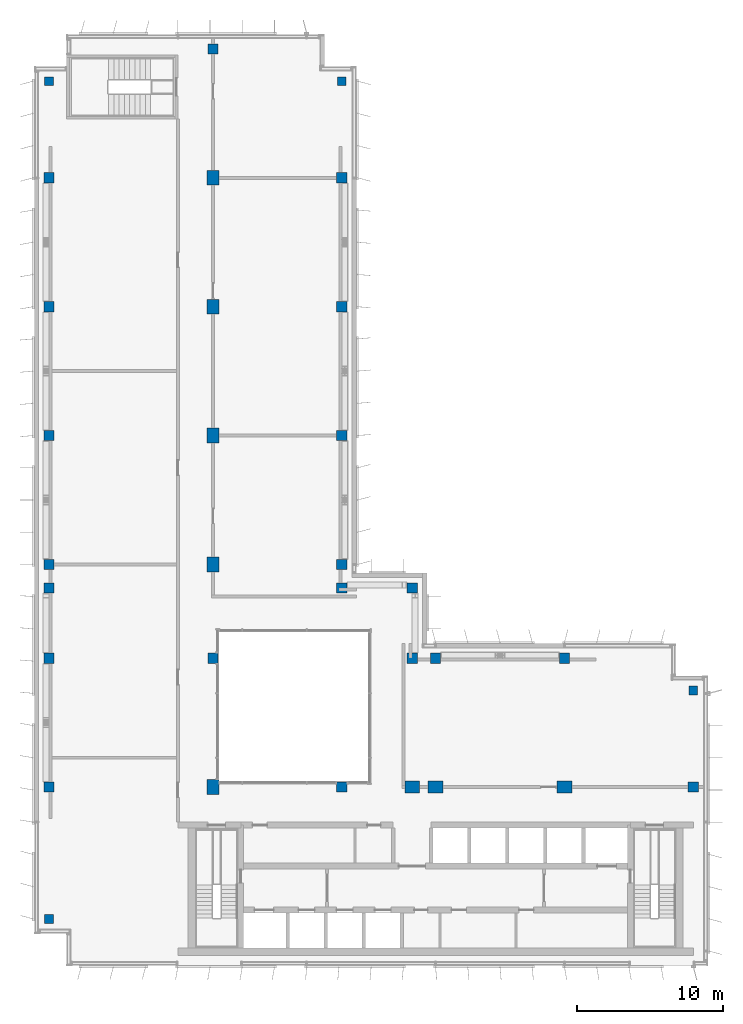
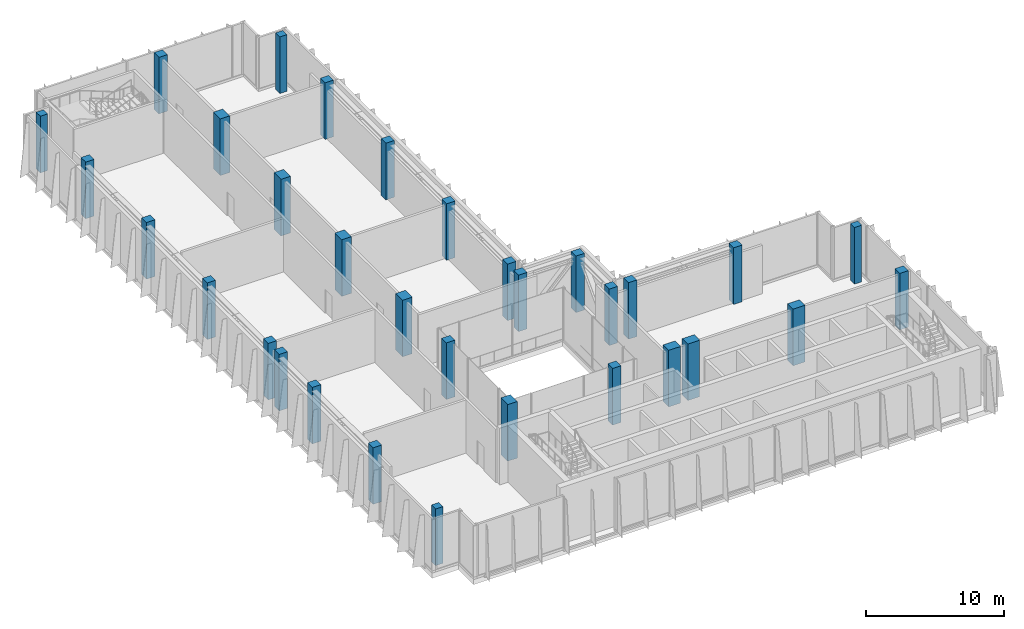
# One storey, part 1 of 14: 32 columns.
"""IFC4 building model written with IfcOpenShell, lengths in metres."""

from ifc_helpers import new_model, si_unit, direction, frame, origin, origin_2d, place, context, subcontext, project, spatial, rectangle, extrude, material, material_profile, profile_set, type_object, element, save


model = new_model("IFC4")

# Units and contexts
model_context = context("Model", 3, precision=1e-05, world=origin(), true_north=direction((0.0, 1.0)))
body_context = subcontext(model_context, "Body", "Model", "MODEL_VIEW")
ifc_project = project(units=[si_unit("LENGTHUNIT", "METRE"), si_unit("AREAUNIT", "SQUARE_METRE"), si_unit("VOLUMEUNIT", "CUBIC_METRE"), si_unit("PLANEANGLEUNIT", "RADIAN"), si_unit("MASSUNIT", "GRAM", prefix="KILO")], contexts=[model_context])

# Site, building, storey
site_placement = place(None, origin())
site = spatial("IfcSite", under=ifc_project, at=site_placement, CompositionType="ELEMENT")
building_placement = place(site_placement, origin())
building = spatial("IfcBuilding", under=site, at=building_placement, Name="Kemantara Hotel Tower", CompositionType="ELEMENT")
storey_placement = place(building_placement, frame((0.0, 0.0, 309.199951171875)))
storey = spatial("IfcBuildingStorey", under=building, at=storey_placement, Name="L78", CompositionType="ELEMENT", Elevation=309.199951171875)

# Columns
ifc_material = material(Name="Concrete fc 50 MPa", Category="concrete")
ifc_material_profile_1 = material_profile(ifc_material, rectangle(XDim=1.0, YDim=0.800048828125, at=origin_2d()), Name="RC 1000X800")
ifc_profile_set_1 = profile_set([ifc_material_profile_1], Name="Concrete fc 50 MPa")
column_type_1 = type_object("IfcColumnType", Name="RC COLUMN 1000X800 FC50", PredefinedType="COLUMN", material=ifc_profile_set_1)
for number, where, z_axis, x_axis, name in (
    (1, (12.199951171875, 12.199951171875, 0.0), (0.0, 0.0, 1.0), (0.0, 1.0, 0.0), "COLUMN 2A/BA L78"),
    (2, (12.199951171875, 27.39990234375, 0.0), (0.0, 0.0, 1.0), (0.0, 1.0, 0.0), "COLUMN 2A/D L78"),
    (3, (12.199951171875, 36.199951171875, 0.0), (0.0, 0.0, 1.0), (0.0, 1.0, 0.0), "COLUMN 2A/E L78"),
    (4, (12.199951171875, 45.0, 0.0), (0.0, 0.0, 1.0), (0.0, 1.0, 0.0), "COLUMN 2A/F L78"),
    (5, (12.199951171875, 53.800048828125, 0.0), (0.0, 0.0, 1.0), (0.0, 1.0, 0.0), "COLUMN 2A/G L78"),
    (6, (25.800048828125, 12.199951171875, 0.0), (0.0, 0.0, 1.0), (1.0, 0.0, 0.0), "COLUMN 3A/BA L78"),
    (7, (27.39990234375, 12.199951171875, 0.0), (0.0, 0.0, 1.0), (1.0, 0.0, 0.0), "COLUMN 4/BA L78"),
    (8, (36.199951171875, 12.199951171875, 0.0), (0.0, 0.0, 1.0), (1.0, 0.0, 0.0), "COLUMN 5/BA L78"),
):
    element("IfcColumn", number, at=place(storey_placement, frame(where, z_axis=z_axis, x_axis=x_axis)), inside=storey, type_object=column_type_1, Name=name, PredefinedType="COLUMN", context=body_context, shape_type="SweptSolid", body=[
        extrude(rectangle(XDim=1.0, YDim=0.800048828125, at=origin_2d()), origin(), (0.0, 0.0, 1.0), 5.0),
    ])
ifc_material_profile_2 = material_profile(ifc_material, rectangle(XDim=0.60009765625, YDim=0.60009765625, at=origin_2d()), Name="RC 600X600")
ifc_profile_set_2 = profile_set([ifc_material_profile_2], Name="Concrete fc 50 MPa")
column_type_2 = type_object("IfcColumnType", Name="RC COLUMN 600X600 FC50", PredefinedType="COLUMN", material=ifc_profile_set_2)
for number, where, z_axis, x_axis, name in (
    (9, (1.0, 3.199951171875, 0.0), (0.0, 0.0, 1.0), (1.0, 0.0, 0.0), "COLUMN notch corner L78"),
    (10, (1.0, 60.39990234375, 0.0), (0.0, 0.0, 1.0), (1.0, 0.0, 0.0), "COLUMN notch corner L78"),
    (11, (21.0, 60.39990234375, 0.0), (0.0, 0.0, 1.0), (1.0, 0.0, 0.0), "COLUMN notch corner L78"),
    (12, (45.0, 18.800048828125, 0.0), (0.0, 0.0, 1.0), (1.0, 0.0, 0.0), "COLUMN notch corner L78"),
):
    element("IfcColumn", number, at=place(storey_placement, frame(where, z_axis=z_axis, x_axis=x_axis)), inside=storey, type_object=column_type_2, Name=name, PredefinedType="COLUMN", context=body_context, shape_type="SweptSolid", body=[
        extrude(rectangle(XDim=0.60009765625, YDim=0.60009765625, at=origin_2d()), origin(), (0.0, 0.0, 1.0), 5.0),
    ])
ifc_material_profile_3 = material_profile(ifc_material, rectangle(XDim=0.699951171875, YDim=0.699951171875, at=origin_2d()), Name="RC 700X700")
ifc_profile_set_3 = profile_set([ifc_material_profile_3], Name="Concrete fc 50 MPa")
column_type_3 = type_object("IfcColumnType", Name="RC COLUMN 700X700 FC50", PredefinedType="COLUMN", material=ifc_profile_set_3)
for number, where, z_axis, x_axis, name in (
    (13, (1.0, 12.199951171875, 0.0), (0.0, 0.0, 1.0), (1.0, 0.0, 0.0), "COLUMN 1/BA L78"),
    (14, (1.0, 21.0, 0.0), (0.0, 0.0, 1.0), (1.0, 0.0, 0.0), "COLUMN 1/C L78"),
    (15, (1.0, 25.800048828125, 0.0), (0.0, 0.0, 1.0), (1.0, 0.0, 0.0), "COLUMN 1/CA L78"),
    (16, (1.0, 27.39990234375, 0.0), (0.0, 0.0, 1.0), (1.0, 0.0, 0.0), "COLUMN 1/D L78"),
    (17, (1.0, 36.199951171875, 0.0), (0.0, 0.0, 1.0), (1.0, 0.0, 0.0), "COLUMN 1/E L78"),
    (18, (1.0, 45.0, 0.0), (0.0, 0.0, 1.0), (1.0, 0.0, 0.0), "COLUMN 1/F L78"),
    (19, (1.0, 53.800048828125, 0.0), (0.0, 0.0, 1.0), (1.0, 0.0, 0.0), "COLUMN 1/G L78"),
    (20, (12.199951171875, 21.0, 0.0), (0.0, 0.0, 1.0), (1.0, 0.0, 0.0), "COLUMN 2A/C L78"),
    (21, (12.199951171875, 62.60009765625, 0.0), (0.0, 0.0, 1.0), (1.0, 0.0, 0.0), "COLUMN 2A/H L78"),
    (22, (21.0, 12.199951171875, 0.0), (0.0, 0.0, 1.0), (1.0, 0.0, 0.0), "COLUMN 3/BA L78"),
    (23, (21.0, 25.800048828125, 0.0), (0.0, 0.0, 1.0), (1.0, 0.0, 0.0), "COLUMN 3/CA L78"),
    (24, (21.0, 27.39990234375, 0.0), (0.0, 0.0, 1.0), (1.0, 0.0, 0.0), "COLUMN 3/D L78"),
    (25, (21.0, 36.199951171875, 0.0), (0.0, 0.0, 1.0), (1.0, 0.0, 0.0), "COLUMN 3/E L78"),
    (26, (21.0, 45.0, 0.0), (0.0, 0.0, 1.0), (1.0, 0.0, 0.0), "COLUMN 3/F L78"),
    (27, (21.0, 53.800048828125, 0.0), (0.0, 0.0, 1.0), (1.0, 0.0, 0.0), "COLUMN 3/G L78"),
    (28, (25.800048828125, 21.0, 0.0), (0.0, 0.0, 1.0), (1.0, 0.0, 0.0), "COLUMN 3A/C L78"),
    (29, (25.800048828125, 25.800048828125, 0.0), (0.0, 0.0, 1.0), (1.0, 0.0, 0.0), "COLUMN 3A/CA L78"),
    (30, (27.39990234375, 21.0, 0.0), (0.0, 0.0, 1.0), (1.0, 0.0, 0.0), "COLUMN 4/C L78"),
    (31, (36.199951171875, 21.0, 0.0), (0.0, 0.0, 1.0), (1.0, 0.0, 0.0), "COLUMN 5/C L78"),
    (32, (45.0, 12.199951171875, 0.0), (0.0, 0.0, 1.0), (1.0, 0.0, 0.0), "COLUMN 6/BA L78"),
):
    element("IfcColumn", number, at=place(storey_placement, frame(where, z_axis=z_axis, x_axis=x_axis)), inside=storey, type_object=column_type_3, Name=name, PredefinedType="COLUMN", context=body_context, shape_type="SweptSolid", body=[
        extrude(rectangle(XDim=0.699951171875, YDim=0.699951171875, at=origin_2d()), origin(), (0.0, 0.0, 1.0), 5.0),
    ])

save(model, "model.ifc")
